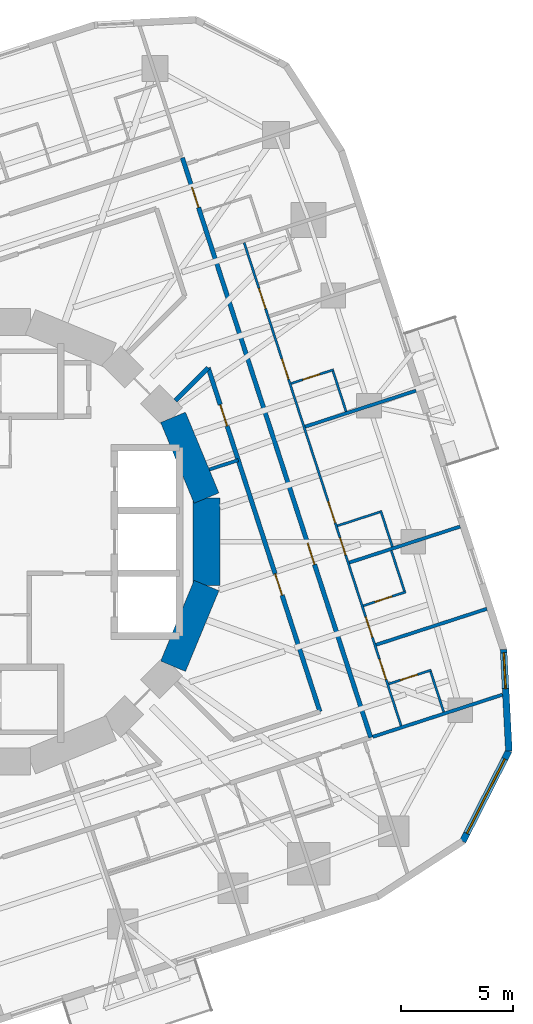
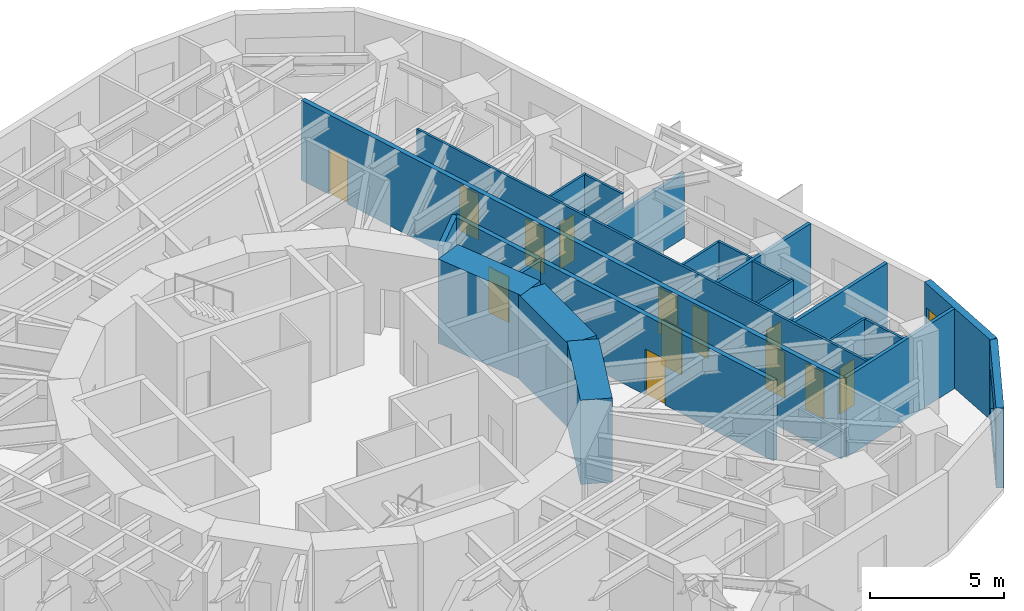
# One storey, part 8 of 13: 22 walls, 13 doors, 2 windows, 15 openings.
"""IFC4 building model written with IfcOpenShell, lengths in metres."""

from ifc_helpers import new_model, si_unit, direction, frame, frame_2d, origin, place, context, subcontext, project, spatial, rectangle, extrude, material, layer, layer_set, type_object, element, fill, save


model = new_model("IFC4")

# Units and contexts
model_context = context("Model", 3, precision=1e-05, world=origin(), true_north=direction((0.0, 1.0)))
body_context = subcontext(model_context, "Body", "Model", "MODEL_VIEW")
ifc_project = project(units=[si_unit("LENGTHUNIT", "METRE"), si_unit("AREAUNIT", "SQUARE_METRE"), si_unit("VOLUMEUNIT", "CUBIC_METRE"), si_unit("PLANEANGLEUNIT", "RADIAN"), si_unit("MASSUNIT", "GRAM", prefix="KILO")], contexts=[model_context])

# Site, building, storey
site_placement = place(None, origin())
site = spatial("IfcSite", under=ifc_project, at=site_placement, CompositionType="ELEMENT")
building_placement = place(site_placement, origin())
building = spatial("IfcBuilding", under=site, at=building_placement, Name="Nakasero Lantern House", CompositionType="ELEMENT")
storey_placement = place(building_placement, frame((0.0, 0.0, 157.199951171875)))
storey = spatial("IfcBuildingStorey", under=building, at=storey_placement, Name="L38", CompositionType="ELEMENT", Elevation=157.199951171875)

# Wall, openings, doors
ifc_material_1 = material(Name="Blockwork", Category="masonry")
ifc_layer_1 = layer(ifc_material_1, 0.10009765625)
ifc_layer_set_1 = layer_set([ifc_layer_1], Name="Cluster hall wall 100")
wall_type_1 = type_object("IfcWallType", Name="Cluster hall wall 100", PredefinedType="PARTITIONING", material=ifc_layer_set_1)
wall_1_placement = place(storey_placement, frame((18.492919921875, -8.21240234375, 0.0), z_axis=(0.0, 0.0, 1.0), x_axis=(-0.309014729931, 0.951057252055, 0.0)))
wall_1 = element("IfcWall", 1, at=wall_1_placement, inside=storey, type_object=wall_type_1, Name="Cluster hall wall L38 HW0-0", PredefinedType="PARTITIONING", context=body_context, shape_type="SweptSolid", body=[
    extrude(rectangle(XDim=22.67236328125, YDim=0.10009765625, at=frame_2d((11.336181640625, 0.0))), origin(), (0.0, 0.0, 1.0), 3.650146484375),
])
opening_1_placement = place(wall_1_placement, frame((9.532958984375, 0.0, 0.0)))
opening_1 = element("IfcOpeningElement", 2, at=opening_1_placement, cuts=wall_1, Name="Opening D03", PredefinedType="OPENING", context=body_context, shape_type="SweptSolid", body=[
    extrude(rectangle(XDim=1.0, YDim=2.10009765625, at=frame_2d((0.5, 1.050048828125))), frame((0.0, 0.070068359375, 0.0), z_axis=(0.0, -1.0, 0.0), x_axis=(1.0, 0.0, 0.0)), (0.0, 0.0, 1.0), 0.14013671875),
])
opening_2_placement = place(wall_1_placement, frame((8.01904296875, 0.0, 0.0)))
opening_2 = element("IfcOpeningElement", 3, at=opening_2_placement, cuts=wall_1, Name="Opening D02", PredefinedType="OPENING", context=body_context, shape_type="SweptSolid", body=[
    extrude(rectangle(XDim=0.800048828125, YDim=2.10009765625, at=frame_2d((0.39990234375, 1.050048828125))), frame((0.0, 0.070068359375, 0.0), z_axis=(0.0, -1.0, 0.0), x_axis=(1.0, 0.0, 0.0)), (0.0, 0.0, 1.0), 0.14013671875),
])
opening_3_placement = place(wall_1_placement, frame((2.175048828125, 0.0, 0.0)))
opening_3 = element("IfcOpeningElement", 4, at=opening_3_placement, cuts=wall_1, Name="Opening D01", PredefinedType="OPENING", context=body_context, shape_type="SweptSolid", body=[
    extrude(rectangle(XDim=0.949951171875, YDim=2.10009765625, at=frame_2d((0.47509765625, 1.050048828125))), frame((0.0, 0.070068359375, 0.0), z_axis=(0.0, -1.0, 0.0), x_axis=(1.0, 0.0, 0.0)), (0.0, 0.0, 1.0), 0.14013671875),
])
opening_4_placement = place(wall_1_placement, frame((4.159423828125, 0.0, 0.0)))
opening_4 = element("IfcOpeningElement", 5, at=opening_4_placement, cuts=wall_1, Name="Opening D01", PredefinedType="OPENING", context=body_context, shape_type="SweptSolid", body=[
    extrude(rectangle(XDim=0.949951171875, YDim=2.10009765625, at=frame_2d((0.47509765625, 1.050048828125))), frame((0.0, 0.070068359375, 0.0), z_axis=(0.0, -1.0, 0.0), x_axis=(1.0, 0.0, 0.0)), (0.0, 0.0, 1.0), 0.14013671875),
])
opening_5_placement = place(wall_1_placement, frame((16.27197265625, 0.0, 0.0)))
opening_5 = element("IfcOpeningElement", 6, at=opening_5_placement, cuts=wall_1, Name="Opening D01", PredefinedType="OPENING", context=body_context, shape_type="SweptSolid", body=[
    extrude(rectangle(XDim=0.949951171875, YDim=2.10009765625, at=frame_2d((0.47509765625, 1.050048828125))), frame((0.0, 0.070068359375, 0.0), z_axis=(0.0, -1.0, 0.0), x_axis=(1.0, 0.0, 0.0)), (0.0, 0.0, 1.0), 0.14013671875),
])
opening_6_placement = place(wall_1_placement, frame((19.578125, 0.0, 0.0)))
opening_6 = element("IfcOpeningElement", 7, at=opening_6_placement, cuts=wall_1, Name="Opening D01", PredefinedType="OPENING", context=body_context, shape_type="SweptSolid", body=[
    extrude(rectangle(XDim=0.949951171875, YDim=2.10009765625, at=frame_2d((0.47509765625, 1.050048828125))), frame((0.0, 0.070068359375, 0.0), z_axis=(0.0, -1.0, 0.0), x_axis=(1.0, 0.0, 0.0)), (0.0, 0.0, 1.0), 0.14013671875),
])
ifc_material_2 = material(Name="Timber C24", Category="wood")
door_type_1 = type_object("IfcDoorType", Name="Bedroom door FD30S 950", OperationType="SINGLE_SWING_LEFT", PredefinedType="DOOR", material=ifc_material_2)
door_1_placement = place(opening_3_placement, origin())
door_1 = element("IfcDoor", 8, at=door_1_placement, inside=storey, type_object=door_type_1, Name="Door L38 D0-00", OperationType="SINGLE_SWING_LEFT", OverallHeight=2.10009765625, OverallWidth=0.949951171875, PredefinedType="DOOR", context=body_context, shape_type="SweptSolid", body=[
    extrude(rectangle(XDim=0.949951171875, YDim=2.10009765625, at=frame_2d((0.47509765625, 1.050048828125))), frame((0.0, 0.02490234375, 0.0), z_axis=(0.0, -1.0, 0.0), x_axis=(1.0, 0.0, 0.0)), (0.0, 0.0, 1.0), 0.050048828125),
])
fill(opening_3, door_1)
door_2_placement = place(opening_4_placement, origin())
door_2 = element("IfcDoor", 9, at=door_2_placement, inside=storey, type_object=door_type_1, Name="Door L38 D0-01", OperationType="SINGLE_SWING_LEFT", OverallHeight=2.10009765625, OverallWidth=0.949951171875, PredefinedType="DOOR", context=body_context, shape_type="SweptSolid", body=[
    extrude(rectangle(XDim=0.949951171875, YDim=2.10009765625, at=frame_2d((0.47509765625, 1.050048828125))), frame((0.0, 0.02490234375, 0.0), z_axis=(0.0, -1.0, 0.0), x_axis=(1.0, 0.0, 0.0)), (0.0, 0.0, 1.0), 0.050048828125),
])
fill(opening_4, door_2)
door_3_placement = place(opening_5_placement, origin())
door_3 = element("IfcDoor", 10, at=door_3_placement, inside=storey, type_object=door_type_1, Name="Door L38 D0-04", OperationType="SINGLE_SWING_RIGHT", OverallHeight=2.10009765625, OverallWidth=0.949951171875, PredefinedType="DOOR", context=body_context, shape_type="SweptSolid", body=[
    extrude(rectangle(XDim=0.949951171875, YDim=2.10009765625, at=frame_2d((0.47509765625, 1.050048828125))), frame((0.0, 0.02490234375, 0.0), z_axis=(0.0, -1.0, 0.0), x_axis=(1.0, 0.0, 0.0)), (0.0, 0.0, 1.0), 0.050048828125),
])
fill(opening_5, door_3)
door_4_placement = place(opening_6_placement, origin())
door_4 = element("IfcDoor", 11, at=door_4_placement, inside=storey, type_object=door_type_1, Name="Door L38 D0-05", OperationType="SINGLE_SWING_RIGHT", OverallHeight=2.10009765625, OverallWidth=0.949951171875, PredefinedType="DOOR", context=body_context, shape_type="SweptSolid", body=[
    extrude(rectangle(XDim=0.949951171875, YDim=2.10009765625, at=frame_2d((0.47509765625, 1.050048828125))), frame((0.0, 0.02490234375, 0.0), z_axis=(0.0, -1.0, 0.0), x_axis=(1.0, 0.0, 0.0)), (0.0, 0.0, 1.0), 0.050048828125),
])
fill(opening_6, door_4)
ifc_material_3 = material(Name="Timber C24", Category="wood")
door_type_2 = type_object("IfcDoorType", Name="En-suite door 800", OperationType="SINGLE_SWING_RIGHT", PredefinedType="DOOR", material=ifc_material_3)
door_5_placement = place(opening_2_placement, origin())
door_5 = element("IfcDoor", 12, at=door_5_placement, inside=storey, type_object=door_type_2, Name="Door L38 DSH0-0", OperationType="SINGLE_SWING_LEFT", OverallHeight=2.10009765625, OverallWidth=0.800048828125, PredefinedType="DOOR", context=body_context, shape_type="SweptSolid", body=[
    extrude(rectangle(XDim=0.800048828125, YDim=2.10009765625, at=frame_2d((0.39990234375, 1.050048828125))), frame((0.0, 0.02490234375, 0.0), z_axis=(0.0, -1.0, 0.0), x_axis=(1.0, 0.0, 0.0)), (0.0, 0.0, 1.0), 0.050048828125),
])
fill(opening_2, door_5)
ifc_material_4 = material(Name="Timber C24", Category="wood")
door_type_3 = type_object("IfcDoorType", Name="Lounge door FD30S 1000", OperationType="SINGLE_SWING_LEFT", PredefinedType="DOOR", material=ifc_material_4)
door_6_placement = place(opening_1_placement, origin())
door_6 = element("IfcDoor", 13, at=door_6_placement, inside=storey, type_object=door_type_3, Name="Door L38 DH0-0", OperationType="SINGLE_SWING_LEFT", OverallHeight=2.10009765625, OverallWidth=1.0, PredefinedType="DOOR", context=body_context, shape_type="SweptSolid", body=[
    extrude(rectangle(XDim=1.0, YDim=2.10009765625, at=frame_2d((0.5, 1.050048828125))), frame((0.0, 0.02490234375, 0.0), z_axis=(0.0, -1.0, 0.0), x_axis=(1.0, 0.0, 0.0)), (0.0, 0.0, 1.0), 0.050048828125),
])
fill(opening_1, door_6)

# Walls
ifc_material_5 = material(Name="Concrete C50/60", Category="concrete")
ifc_layer_2 = layer(ifc_material_5, 1.199951171875)
ifc_layer_set_2 = layer_set([ifc_layer_2], Name="Core wall 1200")
wall_type_2 = type_object("IfcWallType", Name="Core wall 1200", PredefinedType="SHEAR", material=ifc_layer_set_2)
for number, where, z_axis, x_axis, name in (
    (14, (9.807861328125, 1.950927734375, 0.0), (0.0, 0.0, 1.0), (-0.382690736062, 0.923876507187, 0.0), "Core wall L38 facet 1"),
    (15, (8.314697265625, -5.5556640625, 0.0), (0.0, 0.0, 1.0), (0.382690736062, 0.923876507187, 0.0), "Core wall L38 facet 15"),
    (16, (9.807861328125, -1.950927734375, 0.0), (0.0, 0.0, 1.0), (0.0, 1.0, 0.0), "Core wall L38 facet 16"),
):
    element("IfcWall", number, at=place(storey_placement, frame(where, z_axis=z_axis, x_axis=x_axis)), inside=storey, type_object=wall_type_2, Name=name, PredefinedType="SHEAR", context=body_context, shape_type="SweptSolid", body=[
        extrude(rectangle(XDim=3.90185546875, YDim=1.199951171875, at=frame_2d((1.950927734375, 0.0))), origin(), (0.0, 0.0, 1.0), 3.85009765625),
    ])

# Wall, openings, doors
ifc_material_6 = material(Name="Blockwork", Category="masonry")
ifc_layer_3 = layer(ifc_material_6, 0.199951171875)
ifc_layer_set_3 = layer_set([ifc_layer_3], Name="Corridor wall 200")
wall_type_3 = type_object("IfcWallType", Name="Corridor wall 200", PredefinedType="PARTITIONING", material=ifc_layer_set_3)
wall_2_placement = place(storey_placement, frame((17.136962890625, -8.731689453125, 0.0), z_axis=(0.0, 0.0, 1.0), x_axis=(-0.309018283835, 0.951056097323, 0.0)))
wall_2 = element("IfcWall", 17, at=wall_2_placement, inside=storey, type_object=wall_type_3, Name="Corridor wall L38 CW0", PredefinedType="PARTITIONING", context=body_context, shape_type="SweptSolid", body=[
    extrude(rectangle(XDim=27.199951171875, YDim=0.199951171875, at=frame_2d((13.60009765625, 0.0))), origin(), (0.0, 0.0, 1.0), 3.650146484375),
])
opening_7_placement = place(wall_2_placement, frame((8.118896484375, 0.0, 0.0)))
opening_7 = element("IfcOpeningElement", 18, at=opening_7_placement, cuts=wall_2, Name="Opening D14", PredefinedType="OPENING", context=body_context, shape_type="SweptSolid", body=[
    extrude(rectangle(XDim=1.0, YDim=2.10009765625, at=frame_2d((0.5, 1.050048828125))), frame((0.0, 0.119873046875, 0.0), z_axis=(0.0, -1.0, 0.0), x_axis=(1.0, 0.0, 0.0)), (0.0, 0.0, 1.0), 0.239990234375),
])
opening_8_placement = place(wall_2_placement, frame((24.872314453125, 0.0, 0.0)))
opening_8 = element("IfcOpeningElement", 19, at=opening_8_placement, cuts=wall_2, Name="Opening D01", PredefinedType="OPENING", context=body_context, shape_type="SweptSolid", body=[
    extrude(rectangle(XDim=0.949951171875, YDim=2.10009765625, at=frame_2d((0.47509765625, 1.050048828125))), frame((0.0, 0.119873046875, 0.0), z_axis=(0.0, -1.0, 0.0), x_axis=(1.0, 0.0, 0.0)), (0.0, 0.0, 1.0), 0.239990234375),
])
door_7_placement = place(opening_8_placement, origin())
door_7 = element("IfcDoor", 20, at=door_7_placement, inside=storey, type_object=door_type_1, Name="Door L38 D0-06", OperationType="SINGLE_SWING_RIGHT", OverallHeight=2.10009765625, OverallWidth=0.949951171875, PredefinedType="DOOR", context=body_context, shape_type="SweptSolid", body=[
    extrude(rectangle(XDim=0.949951171875, YDim=2.10009765625, at=frame_2d((0.47509765625, 1.050048828125))), frame((0.0, 0.02490234375, 0.0), z_axis=(0.0, -1.0, 0.0), x_axis=(1.0, 0.0, 0.0)), (0.0, 0.0, 1.0), 0.050048828125),
])
fill(opening_8, door_7)
ifc_material_7 = material(Name="Timber C24", Category="wood")
door_type_4 = type_object("IfcDoorType", Name="Cluster entrance door FD30S 1000", OperationType="SINGLE_SWING_LEFT", PredefinedType="DOOR", material=ifc_material_7)
door_8_placement = place(opening_7_placement, origin())
door_8 = element("IfcDoor", 21, at=door_8_placement, inside=storey, type_object=door_type_4, Name="Door L38 DF0-0", OperationType="SINGLE_SWING_LEFT", OverallHeight=2.10009765625, OverallWidth=1.0, PredefinedType="DOOR", context=body_context, shape_type="SweptSolid", body=[
    extrude(rectangle(XDim=1.0, YDim=2.10009765625, at=frame_2d((0.5, 1.050048828125))), frame((0.0, 0.02490234375, 0.0), z_axis=(0.0, -1.0, 0.0), x_axis=(1.0, 0.0, 0.0)), (0.0, 0.0, 1.0), 0.050048828125),
])
fill(opening_7, door_8)

wall_3_placement = place(storey_placement, frame((14.868896484375, -7.576171875, 0.0), z_axis=(0.0, 0.0, 1.0), x_axis=(-0.309016591385, 0.951056647235, 0.0)))
wall_3 = element("IfcWall", 22, at=wall_3_placement, inside=storey, type_object=wall_type_3, Name="Corridor wall L38 IW0-0", PredefinedType="PARTITIONING", context=body_context, shape_type="SweptSolid", body=[
    extrude(rectangle(XDim=16.12890625, YDim=0.199951171875, at=frame_2d((8.064453125, 0.0))), origin(), (0.0, 0.0, 1.0), 3.650146484375),
])
opening_9_placement = place(wall_3_placement, frame((5.46240234375, 0.0, 0.0)))
opening_9 = element("IfcOpeningElement", 23, at=opening_9_placement, cuts=wall_3, Name="Opening D07", PredefinedType="OPENING", context=body_context, shape_type="SweptSolid", body=[
    extrude(rectangle(XDim=1.0, YDim=2.10009765625, at=frame_2d((0.5, 1.050048828125))), frame((0.0, 0.119873046875, 0.0), z_axis=(0.0, -1.0, 0.0), x_axis=(1.0, 0.0, 0.0)), (0.0, 0.0, 1.0), 0.239990234375),
])
opening_10_placement = place(wall_3_placement, frame((13.40185546875, 0.0, 0.0)))
opening_10 = element("IfcOpeningElement", 24, at=opening_10_placement, cuts=wall_3, Name="Opening D07", PredefinedType="OPENING", context=body_context, shape_type="SweptSolid", body=[
    extrude(rectangle(XDim=1.0, YDim=2.10009765625, at=frame_2d((0.5, 1.050048828125))), frame((0.0, 0.119873046875, 0.0), z_axis=(0.0, -1.0, 0.0), x_axis=(1.0, 0.0, 0.0)), (0.0, 0.0, 1.0), 0.239990234375),
])
ifc_material_8 = material(Name="Timber C24", Category="wood")
door_type_5 = type_object("IfcDoorType", Name="Room door FD30S 1000", OperationType="SINGLE_SWING_LEFT", PredefinedType="DOOR", material=ifc_material_8)
door_9_placement = place(opening_9_placement, origin())
door_9 = element("IfcDoor", 25, at=door_9_placement, inside=storey, type_object=door_type_5, Name="Door L38 DI4", OperationType="SINGLE_SWING_LEFT", OverallHeight=2.10009765625, OverallWidth=1.0, PredefinedType="DOOR", context=body_context, shape_type="SweptSolid", body=[
    extrude(rectangle(XDim=1.0, YDim=2.10009765625, at=frame_2d((0.5, 1.050048828125))), frame((0.0, 0.02490234375, 0.0), z_axis=(0.0, -1.0, 0.0), x_axis=(1.0, 0.0, 0.0)), (0.0, 0.0, 1.0), 0.050048828125),
])
fill(opening_9, door_9)
door_10_placement = place(opening_10_placement, origin())
door_10 = element("IfcDoor", 26, at=door_10_placement, inside=storey, type_object=door_type_5, Name="Door L38 DI5", OperationType="SINGLE_SWING_RIGHT", OverallHeight=2.10009765625, OverallWidth=1.0, PredefinedType="DOOR", context=body_context, shape_type="SweptSolid", body=[
    extrude(rectangle(XDim=1.0, YDim=2.10009765625, at=frame_2d((0.5, 1.050048828125))), frame((0.0, 0.02490234375, 0.0), z_axis=(0.0, -1.0, 0.0), x_axis=(1.0, 0.0, 0.0)), (0.0, 0.0, 1.0), 0.050048828125),
])
fill(opening_10, door_10)

# Walls
wall_4_placement = place(storey_placement, frame((8.420166015625, 6.298828125, 0.0), z_axis=(0.0, 0.0, 1.0), x_axis=(0.707106781187, 0.707106781187, 0.0)))
element("IfcWall", 27, at=wall_4_placement, inside=storey, type_object=wall_type_3, Name="Corridor wall L38 PS02b", PredefinedType="PARTITIONING", context=body_context, shape_type="SweptSolid", body=[
    extrude(rectangle(XDim=2.0712890625, YDim=0.199951171875, at=frame_2d((1.03564453125, 0.0))), origin(), (0.0, 0.0, 1.0), 3.650146484375),
])
ifc_material_9 = material(Name="Blockwork", Category="masonry")
ifc_layer_4 = layer(ifc_material_9, 0.10009765625)
ifc_layer_set_4 = layer_set([ifc_layer_4], Name="En-suite wall 100")
wall_type_4 = type_object("IfcWallType", Name="En-suite wall 100", PredefinedType="PARTITIONING", material=ifc_layer_set_4)
wall_5_placement = place(storey_placement, frame((15.645263671875, 0.713623046875, 0.0), z_axis=(0.0, 0.0, 1.0), x_axis=(0.951062257173, 0.308999325213, 0.0)))
element("IfcWall", 28, at=wall_5_placement, inside=storey, type_object=wall_type_4, Name="En-suite wall L38 SS0-0", PredefinedType="PARTITIONING", context=body_context, shape_type="SweptSolid", body=[
    extrude(rectangle(XDim=2.10009765625, YDim=0.10009765625, at=frame_2d((1.050048828125, 0.0))), origin(), (0.0, 0.0, 1.0), 3.650146484375),
])
wall_6_placement = place(storey_placement, frame((18.104736328125, -0.22216796875, 0.0), z_axis=(0.0, 0.0, 1.0), x_axis=(-0.309066587596, 0.951040401051, 0.0)))
element("IfcWall", 29, at=wall_6_placement, inside=storey, type_object=wall_type_4, Name="En-suite wall L38 SE0-0", PredefinedType="PARTITIONING", context=body_context, shape_type="SweptSolid", body=[
    extrude(rectangle(XDim=1.699951171875, YDim=0.10009765625, at=frame_2d((0.85009765625, 0.0))), origin(), (0.0, 0.0, 1.0), 3.650146484375),
])

# Wall, opening, door
wall_7_placement = place(storey_placement, frame((17.937744140625, -6.34228515625, 0.0), z_axis=(0.0, 0.0, 1.0), x_axis=(0.951072636193, 0.308967378027, 0.0)))
wall_7 = element("IfcWall", 30, at=wall_7_placement, inside=storey, type_object=wall_type_4, Name="En-suite wall L38 ES0-00", PredefinedType="PARTITIONING", context=body_context, shape_type="SweptSolid", body=[
    extrude(rectangle(XDim=2.0, YDim=0.10009765625, at=frame_2d((1.0, 0.0))), origin(), (0.0, 0.0, 1.0), 3.650146484375),
])
opening_11_placement = place(wall_7_placement, frame((0.550048828125, 0.0, 0.0)))
opening_11 = element("IfcOpeningElement", 31, at=opening_11_placement, cuts=wall_7, Name="Opening D02", PredefinedType="OPENING", context=body_context, shape_type="SweptSolid", body=[
    extrude(rectangle(XDim=0.800048828125, YDim=2.10009765625, at=frame_2d((0.39990234375, 1.050048828125))), frame((0.0, 0.070068359375, 0.0), z_axis=(0.0, -1.0, 0.0), x_axis=(1.0, 0.0, 0.0)), (0.0, 0.0, 1.0), 0.14013671875),
])
door_11_placement = place(opening_11_placement, origin())
door_11 = element("IfcDoor", 32, at=door_11_placement, inside=storey, type_object=door_type_2, Name="Door L38 DE0-00", OperationType="SINGLE_SWING_LEFT", OverallHeight=2.10009765625, OverallWidth=0.800048828125, PredefinedType="DOOR", context=body_context, shape_type="SweptSolid", body=[
    extrude(rectangle(XDim=0.800048828125, YDim=2.10009765625, at=frame_2d((0.39990234375, 1.050048828125))), frame((0.0, 0.02490234375, 0.0), z_axis=(0.0, -1.0, 0.0), x_axis=(1.0, 0.0, 0.0)), (0.0, 0.0, 1.0), 0.050048828125),
])
fill(opening_11, door_11)

# Wall
wall_8_placement = place(storey_placement, frame((20.39501953125, -7.59423828125, 0.0), z_axis=(0.0, 0.0, 1.0), x_axis=(-0.309048298632, 0.951046344356, 0.0)))
element("IfcWall", 33, at=wall_8_placement, inside=storey, type_object=wall_type_4, Name="En-suite wall L38 EE0-00", PredefinedType="PARTITIONING", context=body_context, shape_type="SweptSolid", body=[
    extrude(rectangle(XDim=1.89990234375, YDim=0.10009765625, at=frame_2d((0.949951171875, 0.0))), origin(), (0.0, 0.0, 1.0), 3.650146484375),
])

# Wall, opening, door
wall_9_placement = place(storey_placement, frame((16.803955078125, -2.85302734375, 0.0), z_axis=(0.0, 0.0, 1.0), x_axis=(0.951036759863, 0.309077791808, 0.0)))
wall_9 = element("IfcWall", 34, at=wall_9_placement, inside=storey, type_object=wall_type_4, Name="En-suite wall L38 ES0-01", PredefinedType="PARTITIONING", context=body_context, shape_type="SweptSolid", body=[
    extrude(rectangle(XDim=2.0, YDim=0.10009765625, at=frame_2d((1.0, 0.0))), origin(), (0.0, 0.0, 1.0), 3.650146484375),
])
opening_12_placement = place(wall_9_placement, frame((0.550048828125, 0.0, 0.0)))
opening_12 = element("IfcOpeningElement", 35, at=opening_12_placement, cuts=wall_9, Name="Opening D02", PredefinedType="OPENING", context=body_context, shape_type="SweptSolid", body=[
    extrude(rectangle(XDim=0.800048828125, YDim=2.10009765625, at=frame_2d((0.39990234375, 1.050048828125))), frame((0.0, 0.070068359375, 0.0), z_axis=(0.0, -1.0, 0.0), x_axis=(1.0, 0.0, 0.0)), (0.0, 0.0, 1.0), 0.14013671875),
])
door_12_placement = place(opening_12_placement, origin())
door_12 = element("IfcDoor", 36, at=door_12_placement, inside=storey, type_object=door_type_2, Name="Door L38 DE0-01", OperationType="SINGLE_SWING_LEFT", OverallHeight=2.10009765625, OverallWidth=0.800048828125, PredefinedType="DOOR", context=body_context, shape_type="SweptSolid", body=[
    extrude(rectangle(XDim=0.800048828125, YDim=2.10009765625, at=frame_2d((0.39990234375, 1.050048828125))), frame((0.0, 0.02490234375, 0.0), z_axis=(0.0, -1.0, 0.0), x_axis=(1.0, 0.0, 0.0)), (0.0, 0.0, 1.0), 0.050048828125),
])
fill(opening_12, door_12)

# Wall
wall_10_placement = place(storey_placement, frame((18.64306640625, -2.202880859375, 0.0), z_axis=(0.0, 0.0, 1.0), x_axis=(-0.308894308917, 0.951096370469, 0.0)))
element("IfcWall", 37, at=wall_10_placement, inside=storey, type_object=wall_type_4, Name="En-suite wall L38 EE0-01", PredefinedType="PARTITIONING", context=body_context, shape_type="SweptSolid", body=[
    extrude(rectangle(XDim=1.900146484375, YDim=0.10009765625, at=frame_2d((0.9501953125, 0.0))), origin(), (0.0, 0.0, 1.0), 3.650146484375),
])

# Wall, opening, door
wall_11_placement = place(storey_placement, frame((13.58154296875, 7.064697265625, 0.0), z_axis=(0.0, 0.0, 1.0), x_axis=(0.951036759863, 0.309077791808, 0.0)))
wall_11 = element("IfcWall", 38, at=wall_11_placement, inside=storey, type_object=wall_type_4, Name="En-suite wall L38 ES0-04", PredefinedType="PARTITIONING", context=body_context, shape_type="SweptSolid", body=[
    extrude(rectangle(XDim=2.0, YDim=0.10009765625, at=frame_2d((1.0, 0.0))), origin(), (0.0, 0.0, 1.0), 3.650146484375),
])
opening_13_placement = place(wall_11_placement, frame((0.550048828125, 0.0, 0.0)))
opening_13 = element("IfcOpeningElement", 39, at=opening_13_placement, cuts=wall_11, Name="Opening D02", PredefinedType="OPENING", context=body_context, shape_type="SweptSolid", body=[
    extrude(rectangle(XDim=0.800048828125, YDim=2.10009765625, at=frame_2d((0.39990234375, 1.050048828125))), frame((0.0, 0.070068359375, 0.0), z_axis=(0.0, -1.0, 0.0), x_axis=(1.0, 0.0, 0.0)), (0.0, 0.0, 1.0), 0.14013671875),
])
door_13_placement = place(opening_13_placement, origin())
door_13 = element("IfcDoor", 40, at=door_13_placement, inside=storey, type_object=door_type_2, Name="Door L38 DE0-04", OperationType="SINGLE_SWING_LEFT", OverallHeight=2.10009765625, OverallWidth=0.800048828125, PredefinedType="DOOR", context=body_context, shape_type="SweptSolid", body=[
    extrude(rectangle(XDim=0.800048828125, YDim=2.10009765625, at=frame_2d((0.39990234375, 1.050048828125))), frame((0.0, 0.02490234375, 0.0), z_axis=(0.0, -1.0, 0.0), x_axis=(1.0, 0.0, 0.0)), (0.0, 0.0, 1.0), 0.050048828125),
])
fill(opening_13, door_13)

# Wall
wall_12_placement = place(storey_placement, frame((16.038818359375, 5.812744140625, 0.0), z_axis=(0.0, 0.0, 1.0), x_axis=(-0.309010533671, 0.951058615481, 0.0)))
element("IfcWall", 41, at=wall_12_placement, inside=storey, type_object=wall_type_4, Name="En-suite wall L38 EE0-04", PredefinedType="PARTITIONING", context=body_context, shape_type="SweptSolid", body=[
    extrude(rectangle(XDim=1.900146484375, YDim=0.10009765625, at=frame_2d((0.9501953125, 0.0))), origin(), (0.0, 0.0, 1.0), 3.650146484375),
])

# Wall, opening, window
ifc_material_10 = material(Name="Aluminium rainscreen on blockwork", Category="masonry")
ifc_layer_5 = layer(ifc_material_10, 0.300048828125)
ifc_layer_set_5 = layer_set([ifc_layer_5], Name="Facade wall 300")
wall_type_5 = type_object("IfcWallType", Name="Facade wall 300", PredefinedType="SOLIDWALL", material=ifc_layer_set_5)
wall_13_placement = place(storey_placement, frame((21.245361328125, -13.36669921875, 0.0), z_axis=(0.0, 0.0, 1.0), x_axis=(0.454013792196, 0.890994655705, 0.0)))
wall_13 = element("IfcWall", 42, at=wall_13_placement, inside=storey, type_object=wall_type_5, Name="Facade wall L38 FW3C2", PredefinedType="SOLIDWALL", context=body_context, shape_type="SweptSolid", body=[
    extrude(rectangle(XDim=4.529296875, YDim=0.300048828125, at=frame_2d((2.2646484375, 0.0))), origin(), (0.0, 0.0, 1.0), 3.650146484375),
])
opening_14_placement = place(wall_13_placement, frame((0.39990234375, 0.0, 0.75)))
opening_14 = element("IfcOpeningElement", 43, at=opening_14_placement, cuts=wall_13, Name="Opening W237A", PredefinedType="OPENING", context=body_context, shape_type="SweptSolid", body=[
    extrude(rectangle(XDim=3.72900390625, YDim=1.800048828125, at=frame_2d((1.864501953125, 0.89990234375))), frame((0.0, 0.169921875, 0.0), z_axis=(0.0, -1.0, 0.0), x_axis=(1.0, 0.0, 0.0)), (0.0, 0.0, 1.0), 0.340087890625),
])
ifc_material_11 = material(Name="Aluminium 6063-T6 and glass", Category="aluminium")
window_type_1 = type_object("IfcWindowType", Name="Corner window 3729x1800", PartitioningType="SINGLE_PANEL", PredefinedType="WINDOW", material=ifc_material_11)
window_1_placement = place(opening_14_placement, origin())
window_1 = element("IfcWindow", 44, at=window_1_placement, inside=storey, type_object=window_type_1, Name="Window L38 WC3", OverallHeight=1.800048828125, OverallWidth=3.72900390625, PartitioningType="SINGLE_PANEL", PredefinedType="WINDOW", context=body_context, shape_type="SweptSolid", body=[
    extrude(rectangle(XDim=3.72900390625, YDim=1.800048828125, at=frame_2d((1.864501953125, 0.89990234375))), frame((0.0, 0.030029296875, 0.0), z_axis=(0.0, -1.0, 0.0), x_axis=(1.0, 0.0, 0.0)), (0.0, 0.0, 1.0), 0.06005859375),
])
fill(opening_14, window_1)

wall_14_placement = place(storey_placement, frame((23.3017578125, -9.3310546875, 0.0), z_axis=(0.0, 0.0, 1.0), x_axis=(-0.052338164079, 0.998629419044, 0.0)))
wall_14 = element("IfcWall", 45, at=wall_14_placement, inside=storey, type_object=wall_type_5, Name="Facade wall L38 FW3C3", PredefinedType="SOLIDWALL", context=body_context, shape_type="SweptSolid", body=[
    extrude(rectangle(XDim=4.529296875, YDim=0.300048828125, at=frame_2d((2.2646484375, 0.0))), origin(), (0.0, 0.0, 1.0), 3.650146484375),
])
opening_15_placement = place(wall_14_placement, frame((2.784912109375, 0.0, 0.75)))
opening_15 = element("IfcOpeningElement", 46, at=opening_15_placement, cuts=wall_14, Name="Opening W01", PredefinedType="OPENING", context=body_context, shape_type="SweptSolid", body=[
    extrude(rectangle(XDim=1.60009765625, YDim=1.800048828125, at=frame_2d((0.800048828125, 0.89990234375))), frame((0.0, 0.169921875, 0.0), z_axis=(0.0, -1.0, 0.0), x_axis=(1.0, 0.0, 0.0)), (0.0, 0.0, 1.0), 0.340087890625),
])
ifc_material_12 = material(Name="Aluminium 6063-T6 and glass", Category="aluminium")
window_type_2 = type_object("IfcWindowType", Name="Bedroom window 1600x1800", PartitioningType="SINGLE_PANEL", PredefinedType="WINDOW", material=ifc_material_12)
window_2_placement = place(opening_15_placement, origin())
window_2 = element("IfcWindow", 47, at=window_2_placement, inside=storey, type_object=window_type_2, Name="Window L38 WN0-00", OverallHeight=1.800048828125, OverallWidth=1.60009765625, PartitioningType="SINGLE_PANEL", PredefinedType="WINDOW", context=body_context, shape_type="SweptSolid", body=[
    extrude(rectangle(XDim=1.60009765625, YDim=1.800048828125, at=frame_2d((0.800048828125, 0.89990234375))), frame((0.0, 0.030029296875, 0.0), z_axis=(0.0, -1.0, 0.0), x_axis=(1.0, 0.0, 0.0)), (0.0, 0.0, 1.0), 0.06005859375),
])
fill(opening_15, window_2)

# Walls
ifc_material_13 = material(Name="Blockwork", Category="masonry")
ifc_layer_6 = layer(ifc_material_13, 0.14990234375)
ifc_layer_set_6 = layer_set([ifc_layer_6], Name="Party wall 150")
wall_type_6 = type_object("IfcWallType", Name="Party wall 150", PredefinedType="PARTITIONING", material=ifc_layer_set_6)
wall_15_placement = place(storey_placement, frame((17.232177734375, -8.700927734375, 0.0), z_axis=(0.0, 0.0, 1.0), x_axis=(0.951057081836, 0.309015253813, 0.0)))
element("IfcWall", 48, at=wall_15_placement, inside=storey, type_object=wall_type_6, Name="Party wall L38 PW0-00", PredefinedType="PARTITIONING", context=body_context, shape_type="SweptSolid", body=[
    extrude(rectangle(XDim=6.080322265625, YDim=0.14990234375, at=frame_2d((3.0400390625, 0.0))), origin(), (0.0, 0.0, 1.0), 3.650146484375),
])
for number, where, z_axis, x_axis, name in (
    (49, (17.370849609375, -4.59765625, 0.0), (0.0, 0.0, 1.0), (0.951055112834, 0.309021313752, 0.0), "Party wall L38 PW0-01"),
    (50, (16.17822265625, -0.927001953125, 0.0), (0.0, 0.0, 1.0), (0.951055112834, 0.309021313752, 0.0), "Party wall L38 PW0-02"),
):
    element("IfcWall", number, at=place(storey_placement, frame(where, z_axis=z_axis, x_axis=x_axis)), inside=storey, type_object=wall_type_6, Name=name, PredefinedType="PARTITIONING", context=body_context, shape_type="SweptSolid", body=[
        extrude(rectangle(XDim=5.2001953125, YDim=0.14990234375, at=frame_2d((2.60009765625, 0.0))), origin(), (0.0, 0.0, 1.0), 3.650146484375),
    ])
wall_16_placement = place(storey_placement, frame((14.207275390625, 5.138916015625, 0.0), z_axis=(0.0, 0.0, 1.0), x_axis=(0.951055112834, 0.309021313752, 0.0)))
element("IfcWall", 51, at=wall_16_placement, inside=storey, type_object=wall_type_6, Name="Party wall L38 PW0-04", PredefinedType="PARTITIONING", context=body_context, shape_type="SweptSolid", body=[
    extrude(rectangle(XDim=5.2001953125, YDim=0.14990234375, at=frame_2d((2.60009765625, 0.0))), origin(), (0.0, 0.0, 1.0), 2.966552734375),
])
wall_17_placement = place(storey_placement, frame((11.222412109375, 3.646484375, 0.0), z_axis=(0.0, 0.0, 1.0), x_axis=(-0.951026153486, -0.309110425878, 0.0)))
element("IfcWall", 52, at=wall_17_placement, inside=storey, type_object=wall_type_6, Name="Party wall L38 IM0", PredefinedType="PARTITIONING", context=body_context, shape_type="SweptSolid", body=[
    extrude(rectangle(XDim=1.360107421875, YDim=0.14990234375, at=frame_2d((0.68017578125, 0.0))), origin(), (0.0, 0.0, 1.0), 3.650146484375),
])

save(model, "model.ifc")
